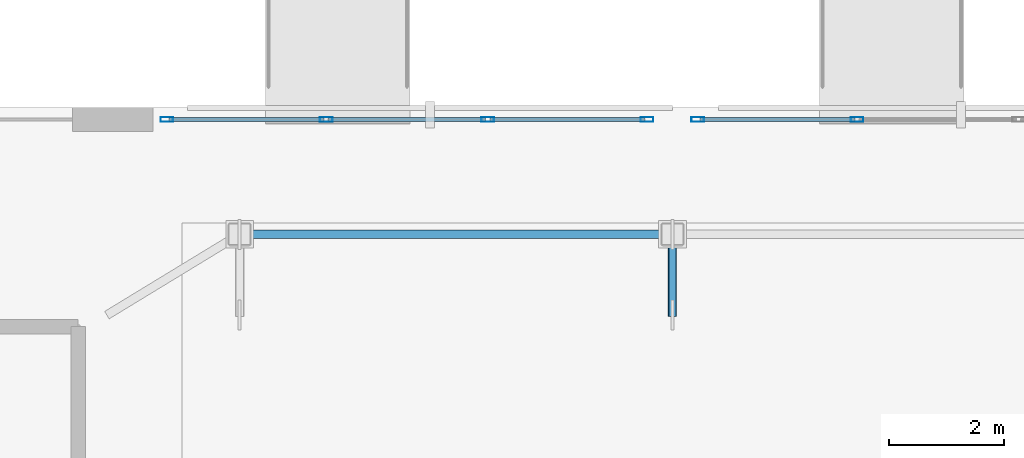
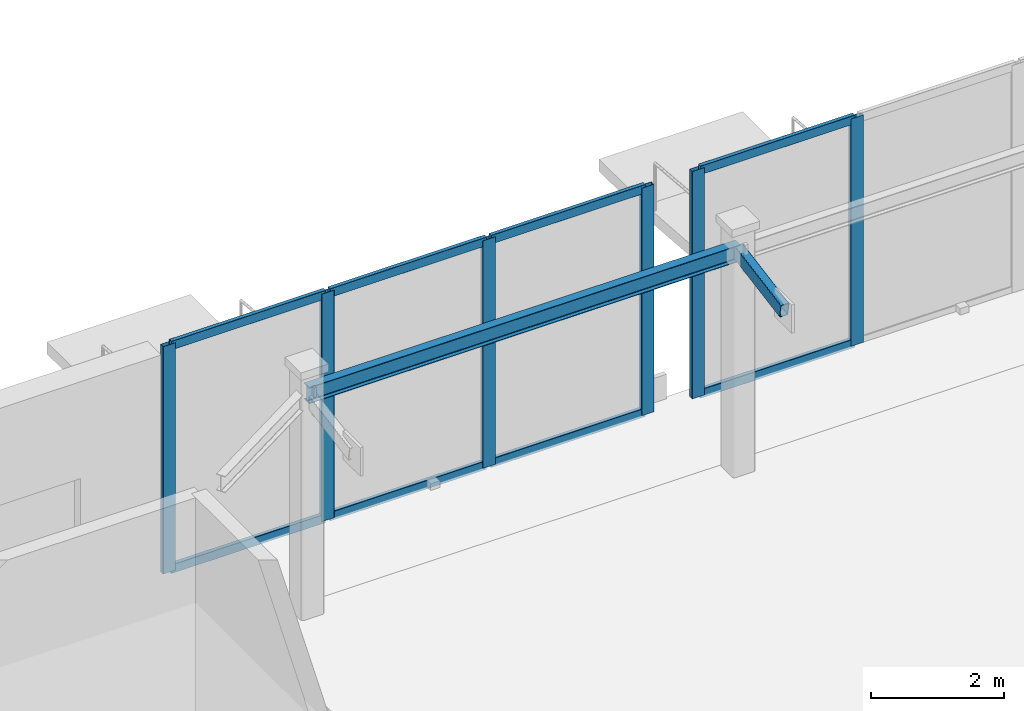
# One storey, part 17 of 42: 15 members, 1 beam, 2 elements without a shape of their own.
"""IFC4 building model written with IfcOpenShell, lengths in metres."""

from ifc_helpers import new_model, si_unit, direction, frame, origin, origin_2d, place, context, subcontext, project, spatial, hollow_rectangle, i_section, extrude, material, material_profile, profile_set, type_object, element, aggregate, save


model = new_model("IFC4")

# Units and contexts
model_context = context("Model", 3, precision=1e-05, world=origin(), true_north=direction((0.0, 1.0)))
body_context = subcontext(model_context, "Body", "Model", "MODEL_VIEW")
ifc_project = project(units=[si_unit("LENGTHUNIT", "METRE"), si_unit("AREAUNIT", "SQUARE_METRE"), si_unit("VOLUMEUNIT", "CUBIC_METRE"), si_unit("PLANEANGLEUNIT", "RADIAN"), si_unit("MASSUNIT", "GRAM", prefix="KILO")], contexts=[model_context])

# Site, building, storey
site_placement = place(None, origin())
site = spatial("IfcSite", under=ifc_project, at=site_placement, CompositionType="ELEMENT")
building_placement = place(site_placement, origin())
building = spatial("IfcBuilding", under=site, at=building_placement, Name="Narakoshi Arena Tower", CompositionType="ELEMENT")
storey_placement = place(building_placement, origin())
storey = spatial("IfcBuildingStorey", under=building, at=storey_placement, Name="L00", CompositionType="ELEMENT", Elevation=0.0)

# Beam
ifc_material_1 = material(Name="Structural steel S355J2", Category="steel")
ifc_material_profile_1 = material_profile(ifc_material_1, i_section(OverallWidth=0.14990234375, OverallDepth=0.300048828125, WebThickness=0.007080078125, FlangeThickness=0.0107421875, FilletRadius=0.014892578125, at=origin_2d()), Name="IPE300")
ifc_profile_set_1 = profile_set([ifc_material_profile_1], Name="Structural steel S355J2")
beam_type = type_object("IfcBeamType", Name="BM-CAN-300", PredefinedType="BEAM", material=ifc_profile_set_1)
beam_placement = place(storey_placement, frame((53.5, 93.800048828125, 4.030029296875), z_axis=(1.0, 0.0, 0.0), x_axis=(0.0, 1.0, 0.0)))
element("IfcBeam", 1, at=beam_placement, inside=storey, type_object=beam_type, Name="L00 Concourse Canopy Beam 06", PredefinedType="BEAM", context=body_context, shape_type="SweptSolid", body=[
    extrude(i_section(OverallWidth=0.14990234375, OverallDepth=0.300048828125, WebThickness=0.007080078125, FlangeThickness=0.0107421875, FilletRadius=0.014892578125, at=origin_2d()), origin(), (0.0, 0.0, 1.0), 7.5),
])

# Member
ifc_material_profile_2 = material_profile(ifc_material_1, hollow_rectangle(XDim=0.14990234375, YDim=0.25, WallThickness=0.010009765625, OuterFilletRadius=0.02001953125, at=origin_2d()), Name="RHS250x150x10")
ifc_profile_set_2 = profile_set([ifc_material_profile_2], Name="Structural steel S355J2")
member_type_1 = type_object("IfcMemberType", Name="MEM-CAN-250", PredefinedType="STRINGER", material=ifc_profile_set_2)
member_1_placement = place(storey_placement, frame((61.0, 93.800048828125, 4.030029296875), z_axis=(0.0, -0.984430758038, -0.175772815385), x_axis=(1.0, 0.0, 0.0)))
element("IfcMember", 2, at=member_1_placement, inside=storey, type_object=member_type_1, Name="L00 Concourse Canopy Tie 05", PredefinedType="STRINGER", context=body_context, shape_type="SweptSolid", body=[
    extrude(hollow_rectangle(XDim=0.14990234375, YDim=0.25, WallThickness=0.010009765625, OuterFilletRadius=0.02001953125, at=origin_2d()), origin(), (0.0, 0.0, 1.0), 1.42236328125),
])

# Curtain wall, members
ifc_material_2 = material(Name="Anodised bronze aluminium 6063-T6", Category="aluminium")
curtain_wall_type = type_object("IfcCurtainWallType", Name="CW-POD-CONC", PredefinedType="NOTDEFINED", material=ifc_material_2)
curtain_wall_1_placement = place(storey_placement, origin())
curtain_wall_1 = element("IfcCurtainWall", 3, at=curtain_wall_1_placement, inside=storey, type_object=curtain_wall_type, Name="L00 Street Concourse Curtain Wall CN1", PredefinedType="NOTDEFINED")
ifc_material_profile_3 = material_profile(ifc_material_2, hollow_rectangle(XDim=0.080078125, YDim=0.219970703125, WallThickness=0.0048828125, OuterFilletRadius=0.006103515625, at=origin_2d()), Name="MUL220x80x5")
ifc_profile_set_3 = profile_set([ifc_material_profile_3], Name="Anodised bronze aluminium 6063-T6")
member_type_2 = type_object("IfcMemberType", Name="MEM-MUL-220", PredefinedType="MULLION", material=ifc_profile_set_3)
member_2_placement = place(storey_placement, frame((64.199951171875, 95.7900390625, 0.0), z_axis=(0.0, 0.0, 1.0), x_axis=(0.0, -1.0, 0.0)))
member_2 = element("IfcMember", 4, at=member_2_placement, type_object=member_type_2, Name="CW-04 mullion 3", PredefinedType="MULLION", context=body_context, shape_type="SweptSolid", body=[
    extrude(hollow_rectangle(XDim=0.080078125, YDim=0.219970703125, WallThickness=0.0048828125, OuterFilletRadius=0.006103515625, at=origin_2d()), origin(), (0.0, 0.0, 1.0), 4.179931640625),
])
member_3_placement = place(storey_placement, frame((61.43994140625, 95.7900390625, 0.0), z_axis=(0.0, 0.0, 1.0), x_axis=(0.0, -1.0, 0.0)))
member_3 = element("IfcMember", 5, at=member_3_placement, type_object=member_type_2, Name="CW-04 mullion 4", PredefinedType="MULLION", context=body_context, shape_type="SweptSolid", body=[
    extrude(hollow_rectangle(XDim=0.080078125, YDim=0.219970703125, WallThickness=0.0048828125, OuterFilletRadius=0.006103515625, at=origin_2d()), origin(), (0.0, 0.0, 1.0), 4.179931640625),
])

curtain_wall_2_placement = place(storey_placement, origin())
curtain_wall_2 = element("IfcCurtainWall", 6, at=curtain_wall_2_placement, inside=storey, type_object=curtain_wall_type, Name="L00 Street Concourse Curtain Wall CN2", PredefinedType="NOTDEFINED")
member_4_placement = place(storey_placement, frame((60.56005859375, 95.7900390625, 0.0), z_axis=(0.0, 0.0, 1.0), x_axis=(0.0, -1.0, 0.0)))
member_4 = element("IfcMember", 7, at=member_4_placement, type_object=member_type_2, Name="CW-04 mullion 1", PredefinedType="MULLION", context=body_context, shape_type="SweptSolid", body=[
    extrude(hollow_rectangle(XDim=0.080078125, YDim=0.219970703125, WallThickness=0.0048828125, OuterFilletRadius=0.006103515625, at=origin_2d()), origin(), (0.0, 0.0, 1.0), 4.179931640625),
])
member_5_placement = place(storey_placement, frame((57.800048828125, 95.7900390625, 0.0), z_axis=(0.0, 0.0, 1.0), x_axis=(0.0, -1.0, 0.0)))
member_5 = element("IfcMember", 8, at=member_5_placement, type_object=member_type_2, Name="CW-04 mullion 2", PredefinedType="MULLION", context=body_context, shape_type="SweptSolid", body=[
    extrude(hollow_rectangle(XDim=0.080078125, YDim=0.219970703125, WallThickness=0.0048828125, OuterFilletRadius=0.006103515625, at=origin_2d()), origin(), (0.0, 0.0, 1.0), 4.179931640625),
])
member_6_placement = place(storey_placement, frame((55.0, 95.7900390625, 0.0), z_axis=(0.0, 0.0, 1.0), x_axis=(0.0, -1.0, 0.0)))
member_6 = element("IfcMember", 9, at=member_6_placement, type_object=member_type_2, Name="CW-04 mullion 3", PredefinedType="MULLION", context=body_context, shape_type="SweptSolid", body=[
    extrude(hollow_rectangle(XDim=0.080078125, YDim=0.219970703125, WallThickness=0.0048828125, OuterFilletRadius=0.006103515625, at=origin_2d()), origin(), (0.0, 0.0, 1.0), 4.179931640625),
])
member_7_placement = place(storey_placement, frame((52.239990234375, 95.7900390625, 0.0), z_axis=(0.0, 0.0, 1.0), x_axis=(0.0, -1.0, 0.0)))
member_7 = element("IfcMember", 10, at=member_7_placement, type_object=member_type_2, Name="CW-04 mullion 4", PredefinedType="MULLION", context=body_context, shape_type="SweptSolid", body=[
    extrude(hollow_rectangle(XDim=0.080078125, YDim=0.219970703125, WallThickness=0.0048828125, OuterFilletRadius=0.006103515625, at=origin_2d()), origin(), (0.0, 0.0, 1.0), 4.179931640625),
])

# Member
ifc_material_profile_4 = material_profile(ifc_material_2, hollow_rectangle(XDim=0.070068359375, YDim=0.159912109375, WallThickness=0.00390625, OuterFilletRadius=0.0048828125, at=origin_2d()), Name="TRN160x70x4")
ifc_profile_set_4 = profile_set([ifc_material_profile_4], Name="Anodised bronze aluminium 6063-T6")
member_type_3 = type_object("IfcMemberType", Name="MEM-TRN-160", PredefinedType="USERDEFINED", material=ifc_profile_set_4)
member_8_placement = place(storey_placement, frame((64.159912109375, 95.7900390625, 0.034912109375), z_axis=(-1.0, 0.0, 0.0), x_axis=(0.0, -1.0, 0.0)))
member_8 = element("IfcMember", 11, at=member_8_placement, type_object=member_type_3, Name="CW-04 transom 3.1", ObjectType="TRANSOM", PredefinedType="USERDEFINED", context=body_context, shape_type="SweptSolid", body=[
    extrude(hollow_rectangle(XDim=0.070068359375, YDim=0.159912109375, WallThickness=0.00390625, OuterFilletRadius=0.0048828125, at=origin_2d()), origin(), (0.0, 0.0, 1.0), 2.679931640625),
])

member_9_placement = place(storey_placement, frame((64.159912109375, 95.7900390625, 4.14501953125), z_axis=(-1.0, 0.0, 0.0), x_axis=(0.0, -1.0, 0.0)))
member_9 = element("IfcMember", 12, at=member_9_placement, type_object=member_type_3, Name="CW-04 transom 3.2", ObjectType="TRANSOM", PredefinedType="USERDEFINED", context=body_context, shape_type="SweptSolid", body=[
    extrude(hollow_rectangle(XDim=0.070068359375, YDim=0.159912109375, WallThickness=0.00390625, OuterFilletRadius=0.0048828125, at=origin_2d()), origin(), (0.0, 0.0, 1.0), 2.679931640625),
])

aggregate(curtain_wall_1, [member_2, member_3, member_8, member_9])

member_10_placement = place(storey_placement, frame((60.52001953125, 95.7900390625, 0.034912109375), z_axis=(-1.0, 0.0, 0.0), x_axis=(0.0, -1.0, 0.0)))
member_10 = element("IfcMember", 13, at=member_10_placement, type_object=member_type_3, Name="CW-04 transom 1.1", ObjectType="TRANSOM", PredefinedType="USERDEFINED", context=body_context, shape_type="SweptSolid", body=[
    extrude(hollow_rectangle(XDim=0.070068359375, YDim=0.159912109375, WallThickness=0.00390625, OuterFilletRadius=0.0048828125, at=origin_2d()), origin(), (0.0, 0.0, 1.0), 2.679931640625),
])

member_11_placement = place(storey_placement, frame((60.52001953125, 95.7900390625, 4.14501953125), z_axis=(-1.0, 0.0, 0.0), x_axis=(0.0, -1.0, 0.0)))
member_11 = element("IfcMember", 14, at=member_11_placement, type_object=member_type_3, Name="CW-04 transom 1.2", ObjectType="TRANSOM", PredefinedType="USERDEFINED", context=body_context, shape_type="SweptSolid", body=[
    extrude(hollow_rectangle(XDim=0.070068359375, YDim=0.159912109375, WallThickness=0.00390625, OuterFilletRadius=0.0048828125, at=origin_2d()), origin(), (0.0, 0.0, 1.0), 2.679931640625),
])

member_12_placement = place(storey_placement, frame((57.760009765625, 95.7900390625, 0.034912109375), z_axis=(-1.0, 0.0, 0.0), x_axis=(0.0, -1.0, 0.0)))
member_12 = element("IfcMember", 15, at=member_12_placement, type_object=member_type_3, Name="CW-04 transom 2.1", ObjectType="TRANSOM", PredefinedType="USERDEFINED", context=body_context, shape_type="SweptSolid", body=[
    extrude(hollow_rectangle(XDim=0.070068359375, YDim=0.159912109375, WallThickness=0.00390625, OuterFilletRadius=0.0048828125, at=origin_2d()), origin(), (0.0, 0.0, 1.0), 2.719970703125),
])

member_13_placement = place(storey_placement, frame((57.760009765625, 95.7900390625, 4.14501953125), z_axis=(-1.0, 0.0, 0.0), x_axis=(0.0, -1.0, 0.0)))
member_13 = element("IfcMember", 16, at=member_13_placement, type_object=member_type_3, Name="CW-04 transom 2.2", ObjectType="TRANSOM", PredefinedType="USERDEFINED", context=body_context, shape_type="SweptSolid", body=[
    extrude(hollow_rectangle(XDim=0.070068359375, YDim=0.159912109375, WallThickness=0.00390625, OuterFilletRadius=0.0048828125, at=origin_2d()), origin(), (0.0, 0.0, 1.0), 2.719970703125),
])

member_14_placement = place(storey_placement, frame((54.9599609375, 95.7900390625, 0.034912109375), z_axis=(-1.0, 0.0, 0.0), x_axis=(0.0, -1.0, 0.0)))
member_14 = element("IfcMember", 17, at=member_14_placement, type_object=member_type_3, Name="CW-04 transom 3.1", ObjectType="TRANSOM", PredefinedType="USERDEFINED", context=body_context, shape_type="SweptSolid", body=[
    extrude(hollow_rectangle(XDim=0.070068359375, YDim=0.159912109375, WallThickness=0.00390625, OuterFilletRadius=0.0048828125, at=origin_2d()), origin(), (0.0, 0.0, 1.0), 2.679931640625),
])

member_15_placement = place(storey_placement, frame((54.9599609375, 95.7900390625, 4.14501953125), z_axis=(-1.0, 0.0, 0.0), x_axis=(0.0, -1.0, 0.0)))
member_15 = element("IfcMember", 18, at=member_15_placement, type_object=member_type_3, Name="CW-04 transom 3.2", ObjectType="TRANSOM", PredefinedType="USERDEFINED", context=body_context, shape_type="SweptSolid", body=[
    extrude(hollow_rectangle(XDim=0.070068359375, YDim=0.159912109375, WallThickness=0.00390625, OuterFilletRadius=0.0048828125, at=origin_2d()), origin(), (0.0, 0.0, 1.0), 2.679931640625),
])

aggregate(curtain_wall_2, [member_4, member_5, member_6, member_7, member_10, member_11, member_12, member_13, member_14, member_15])

save(model, "model.ifc")
